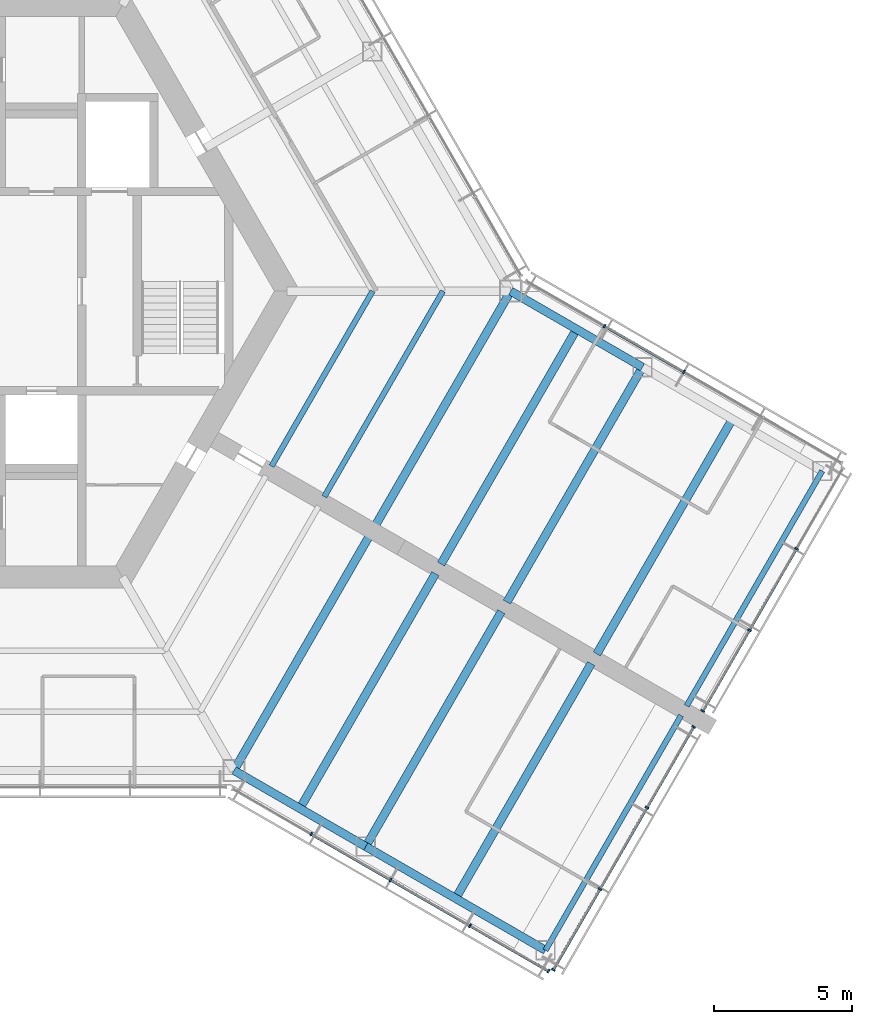
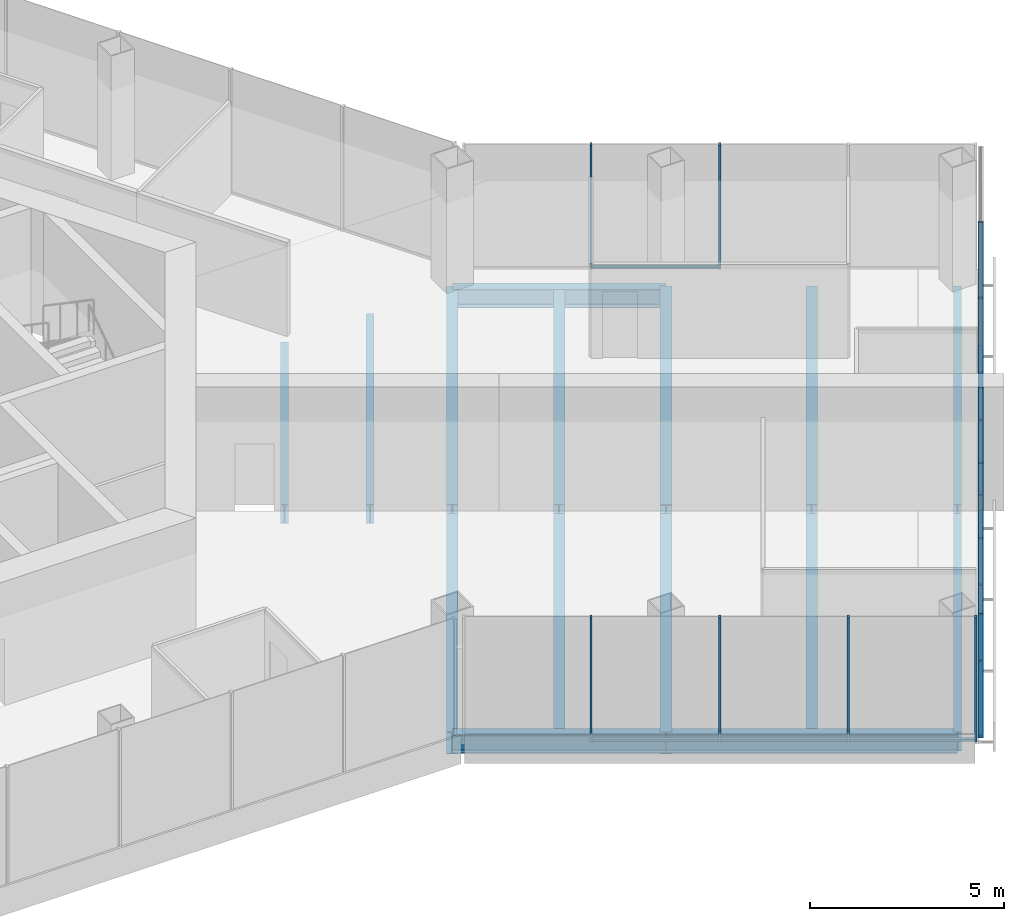
# One storey, part 4 of 16: 22 members, 15 beams, 4 elements without a shape of their own.
"""IFC4 building model written with IfcOpenShell, lengths in metres."""

from ifc_helpers import new_model, si_unit, direction, frame, origin, origin_2d, place, context, subcontext, project, spatial, rectangle, i_section, extrude, material, material_profile, profile_set, type_object, element, aggregate, save


model = new_model("IFC4")

# Units and contexts
model_context = context("Model", 3, precision=1e-05, world=origin(), true_north=direction((0.0, 1.0)))
body_context = subcontext(model_context, "Body", "Model", "MODEL_VIEW")
ifc_project = project(units=[si_unit("LENGTHUNIT", "METRE"), si_unit("AREAUNIT", "SQUARE_METRE"), si_unit("VOLUMEUNIT", "CUBIC_METRE"), si_unit("PLANEANGLEUNIT", "RADIAN"), si_unit("MASSUNIT", "GRAM", prefix="KILO")], contexts=[model_context])

# Site, building, storey
site_placement = place(None, origin())
site = spatial("IfcSite", under=ifc_project, at=site_placement, CompositionType="ELEMENT")
building_placement = place(site_placement, origin())
building = spatial("IfcBuilding", under=site, at=building_placement, Name="Kasaneha Research Tower", CompositionType="ELEMENT")
storey_placement = place(building_placement, frame((0.0, 0.0, 259.60009765625)))
storey = spatial("IfcBuildingStorey", under=building, at=storey_placement, Name="L65", CompositionType="ELEMENT", Elevation=259.60009765625)

# Beams
ifc_material_1 = material(Name="Steel SN490B", Category="steel")
ifc_material_profile_1 = material_profile(ifc_material_1, i_section(OverallWidth=0.199951171875, OverallDepth=0.60009765625, WebThickness=0.010986328125, FlangeThickness=0.01708984375, FilletRadius=0.012939453125, at=origin_2d()), Name="H-600x200x11x17")
ifc_profile_set_1 = profile_set([ifc_material_profile_1], Name="Steel SN490B")
beam_type_1 = type_object("IfcBeamType", Name="B1-3 secondary beam H-600x200x11x17", PredefinedType="JOIST", material=ifc_profile_set_1)
beam_1_placement = place(storey_placement, frame((15.010986328125, 0.0, -0.4501953125), z_axis=(-0.499974128195, -0.866040340363, 0.0), x_axis=(0.866040340363, -0.499974128195, 0.0)))
element("IfcBeam", 1, at=beam_1_placement, inside=storey, type_object=beam_type_1, Name="Secondary beam RS330R1 L65", PredefinedType="JOIST", context=body_context, shape_type="SweptSolid", body=[
    extrude(i_section(OverallWidth=0.199951171875, OverallDepth=0.60009765625, WebThickness=0.010986328125, FlangeThickness=0.01708984375, FilletRadius=0.012939453125, at=origin_2d()), origin(), (0.0, 0.0, 1.0), 7.3056640625),
])
beam_2_placement = place(storey_placement, frame((17.551513671875, 0.0, -0.4501953125), z_axis=(-0.500000102728, -0.866025344474, 0.0), x_axis=(0.866025344474, -0.500000102728, 0.0)))
element("IfcBeam", 2, at=beam_2_placement, inside=storey, type_object=beam_type_1, Name="Secondary beam RS330R2 L65", PredefinedType="JOIST", context=body_context, shape_type="SweptSolid", body=[
    extrude(i_section(OverallWidth=0.199951171875, OverallDepth=0.60009765625, WebThickness=0.010986328125, FlangeThickness=0.01708984375, FilletRadius=0.012939453125, at=origin_2d()), origin(), (0.0, 0.0, 1.0), 8.57568359375),
])
ifc_material_2 = material(Name="Steel SN490B", Category="steel")
ifc_material_profile_2 = material_profile(ifc_material_2, i_section(OverallWidth=0.300048828125, OverallDepth=0.58203125, WebThickness=0.011962890625, FlangeThickness=0.01708984375, FilletRadius=0.012939453125, at=origin_2d()), Name="H-582x300x12x17")
ifc_profile_set_2 = profile_set([ifc_material_profile_2], Name="Steel SN490B")
beam_type_2 = type_object("IfcBeamType", Name="B2-3 secondary beam H-582x300x12x17", PredefinedType="JOIST", material=ifc_profile_set_2)
for number, where, z_axis, x_axis, name in (
    (3, (12.381591796875, -18.695556640625, -0.441162109375), (0.49999201416, 0.866030014362, 0.0), (-0.866030014362, 0.49999201416, 0.0), "Secondary beam WBCP1 L65"),
    (4, (18.0107421875, -21.945556640625, -0.441162109375), (0.49999201416, 0.866030014362, 0.0), (-0.866030014362, 0.49999201416, 0.0), "Secondary beam WBCP2 L65"),
    (5, (22.381591796875, -1.375, -0.441162109375), (-0.49999201416, -0.866030014362, 0.0), (0.866030014362, -0.49999201416, 0.0), "Secondary beam WBCN1 L65"),
    (6, (28.0107421875, -4.625, -0.441162109375), (-0.49999201416, -0.866030014362, 0.0), (0.866030014362, -0.49999201416, 0.0), "Secondary beam WBCN2 L65"),
):
    element("IfcBeam", number, at=place(storey_placement, frame(where, z_axis=z_axis, x_axis=x_axis)), inside=storey, type_object=beam_type_2, Name=name, PredefinedType="JOIST", context=body_context, shape_type="SweptSolid", body=[
        extrude(i_section(OverallWidth=0.300048828125, OverallDepth=0.58203125, WebThickness=0.011962890625, FlangeThickness=0.01708984375, FilletRadius=0.012939453125, at=origin_2d()), origin(), (0.0, 0.0, 1.0), 9.800048828125),
    ])

# Curtain wall, members
ifc_material_3 = material(Name="Glass and aluminium", Category="aluminium")
curtain_wall_type = type_object("IfcCurtainWallType", Name="High-rise office curtain wall", PredefinedType="USERDEFINED", material=ifc_material_3)
curtain_wall_1_placement = place(storey_placement, origin())
curtain_wall_1 = element("IfcCurtainWall", 7, at=curtain_wall_1_placement, inside=storey, type_object=curtain_wall_type, Name="CW-O3 L65 run 06a", ObjectType="UNITISED CURTAIN WALL", PredefinedType="USERDEFINED")
ifc_material_4 = material(Name="Aluminium 6063-T6", Category="aluminium")
ifc_material_profile_3 = material_profile(ifc_material_4, rectangle(XDim=0.06005859375, YDim=0.139892578125, at=origin_2d()), Name="CW-O3 mullion 60x140")
ifc_profile_set_3 = profile_set([ifc_material_profile_3], Name="Aluminium 6063-T6")
member_type_1 = type_object("IfcMemberType", Name="CW-O3 mullion", PredefinedType="MULLION", material=ifc_profile_set_3)
member_1_placement = place(storey_placement, frame((12.792236328125, -19.62548828125, 0.0), z_axis=(0.0, 0.0, 1.0), x_axis=(0.866025411464, -0.499999986699, 0.0)))
member_1 = element("IfcMember", 8, at=member_1_placement, type_object=member_type_1, Name="CW-O3 mullion 2", PredefinedType="MULLION", context=body_context, shape_type="SweptSolid", body=[
    extrude(rectangle(XDim=0.06005859375, YDim=0.139892578125, at=origin_2d()), origin(), (0.0, 0.0, 1.0), 3.89990234375),
])
member_2_placement = place(storey_placement, frame((15.65869140625, -21.2802734375, 0.0), z_axis=(0.0, 0.0, 1.0), x_axis=(0.866025411464, -0.499999986699, 0.0)))
member_2 = element("IfcMember", 9, at=member_2_placement, type_object=member_type_1, Name="CW-O3 mullion 3", PredefinedType="MULLION", context=body_context, shape_type="SweptSolid", body=[
    extrude(rectangle(XDim=0.06005859375, YDim=0.139892578125, at=origin_2d()), origin(), (0.0, 0.0, 1.0), 3.89990234375),
])
member_3_placement = place(storey_placement, frame((18.52490234375, -22.935302734375, 0.0), z_axis=(0.0, 0.0, 1.0), x_axis=(0.866025411464, -0.499999986699, 0.0)))
member_3 = element("IfcMember", 10, at=member_3_placement, type_object=member_type_1, Name="CW-O3 mullion 4", PredefinedType="MULLION", context=body_context, shape_type="SweptSolid", body=[
    extrude(rectangle(XDim=0.06005859375, YDim=0.139892578125, at=origin_2d()), origin(), (0.0, 0.0, 1.0), 3.89990234375),
])
member_4_placement = place(storey_placement, frame((21.365478515625, -24.5751953125, 0.0), z_axis=(0.0, 0.0, 1.0), x_axis=(0.866025411464, -0.499999986699, 0.0)))
member_4 = element("IfcMember", 11, at=member_4_placement, type_object=member_type_1, Name="CW-O3 mullion 5", PredefinedType="MULLION", context=body_context, shape_type="SweptSolid", body=[
    extrude(rectangle(XDim=0.06005859375, YDim=0.139892578125, at=origin_2d()), origin(), (0.0, 0.0, 1.0), 3.89990234375),
])

curtain_wall_2_placement = place(storey_placement, origin())
curtain_wall_2 = element("IfcCurtainWall", 12, at=curtain_wall_2_placement, inside=storey, type_object=curtain_wall_type, Name="CW-O3 L65 run 07a", ObjectType="UNITISED CURTAIN WALL", PredefinedType="USERDEFINED")
member_5_placement = place(storey_placement, frame((21.54296875, -24.527587890625, 0.0), z_axis=(0.0, 0.0, 1.0), x_axis=(0.500000011442, 0.866025397178, 0.0)))
member_5 = element("IfcMember", 13, at=member_5_placement, type_object=member_type_1, Name="CW-O3 mullion 1", PredefinedType="MULLION", context=body_context, shape_type="SweptSolid", body=[
    extrude(rectangle(XDim=0.06005859375, YDim=0.139892578125, at=origin_2d()), origin(), (0.0, 0.0, 1.0), 3.89990234375),
])
member_6_placement = place(storey_placement, frame((23.22802734375, -21.609130859375, 0.0), z_axis=(0.0, 0.0, 1.0), x_axis=(0.500000011442, 0.866025397178, 0.0)))
member_6 = element("IfcMember", 14, at=member_6_placement, type_object=member_type_1, Name="CW-O3 mullion 2", PredefinedType="MULLION", context=body_context, shape_type="SweptSolid", body=[
    extrude(rectangle(XDim=0.06005859375, YDim=0.139892578125, at=origin_2d()), origin(), (0.0, 0.0, 1.0), 3.89990234375),
])
member_7_placement = place(storey_placement, frame((24.927978515625, -18.66455078125, 0.0), z_axis=(0.0, 0.0, 1.0), x_axis=(0.500000011442, 0.866025397178, 0.0)))
member_7 = element("IfcMember", 15, at=member_7_placement, type_object=member_type_1, Name="CW-O3 mullion 3", PredefinedType="MULLION", context=body_context, shape_type="SweptSolid", body=[
    extrude(rectangle(XDim=0.06005859375, YDim=0.139892578125, at=origin_2d()), origin(), (0.0, 0.0, 1.0), 3.89990234375),
])
member_8_placement = place(storey_placement, frame((26.613037109375, -15.74609375, 0.0), z_axis=(0.0, 0.0, 1.0), x_axis=(0.500000011442, 0.866025397178, 0.0)))
member_8 = element("IfcMember", 16, at=member_8_placement, type_object=member_type_1, Name="CW-O3 mullion 4", PredefinedType="MULLION", context=body_context, shape_type="SweptSolid", body=[
    extrude(rectangle(XDim=0.06005859375, YDim=0.139892578125, at=origin_2d()), origin(), (0.0, 0.0, 1.0), 3.89990234375),
])

curtain_wall_3_placement = place(storey_placement, origin())
curtain_wall_3 = element("IfcCurtainWall", 17, at=curtain_wall_3_placement, inside=storey, type_object=curtain_wall_type, Name="CW-O3 L65 run 08a", ObjectType="UNITISED CURTAIN WALL", PredefinedType="USERDEFINED")
member_9_placement = place(storey_placement, frame((26.94287109375, -15.174560546875, 0.0), z_axis=(0.0, 0.0, 1.0), x_axis=(0.500000011442, 0.866025397178, 0.0)))
member_9 = element("IfcMember", 18, at=member_9_placement, type_object=member_type_1, Name="CW-O3 mullion 1", PredefinedType="MULLION", context=body_context, shape_type="SweptSolid", body=[
    extrude(rectangle(XDim=0.06005859375, YDim=0.139892578125, at=origin_2d()), origin(), (0.0, 0.0, 1.0), 3.89990234375),
])
member_10_placement = place(storey_placement, frame((28.6279296875, -12.255859375, 0.0), z_axis=(0.0, 0.0, 1.0), x_axis=(0.500000011442, 0.866025397178, 0.0)))
member_10 = element("IfcMember", 19, at=member_10_placement, type_object=member_type_1, Name="CW-O3 mullion 2", PredefinedType="MULLION", context=body_context, shape_type="SweptSolid", body=[
    extrude(rectangle(XDim=0.06005859375, YDim=0.139892578125, at=origin_2d()), origin(), (0.0, 0.0, 1.0), 3.89990234375),
])
member_11_placement = place(storey_placement, frame((30.327880859375, -9.3115234375, 0.0), z_axis=(0.0, 0.0, 1.0), x_axis=(0.500000011442, 0.866025397178, 0.0)))
member_11 = element("IfcMember", 20, at=member_11_placement, type_object=member_type_1, Name="CW-O3 mullion 3", PredefinedType="MULLION", context=body_context, shape_type="SweptSolid", body=[
    extrude(rectangle(XDim=0.06005859375, YDim=0.139892578125, at=origin_2d()), origin(), (0.0, 0.0, 1.0), 3.89990234375),
])

curtain_wall_4_placement = place(storey_placement, origin())
curtain_wall_4 = element("IfcCurtainWall", 21, at=curtain_wall_4_placement, inside=storey, type_object=curtain_wall_type, Name="CW-O3 L65 run 09a", ObjectType="UNITISED CURTAIN WALL", PredefinedType="USERDEFINED")
member_12_placement = place(storey_placement, frame((26.258544921875, -2.920654296875, 0.0), z_axis=(0.0, 0.0, 1.0), x_axis=(-0.866025411464, 0.499999986699, 0.0)))
member_12 = element("IfcMember", 22, at=member_12_placement, type_object=member_type_1, Name="CW-O3 mullion 3", PredefinedType="MULLION", context=body_context, shape_type="SweptSolid", body=[
    extrude(rectangle(XDim=0.06005859375, YDim=0.139892578125, at=origin_2d()), origin(), (0.0, 0.0, 1.0), 3.89990234375),
])
member_13_placement = place(storey_placement, frame((23.39208984375, -1.265625, 0.0), z_axis=(0.0, 0.0, 1.0), x_axis=(-0.866025411464, 0.499999986699, 0.0)))
member_13 = element("IfcMember", 23, at=member_13_placement, type_object=member_type_1, Name="CW-O3 mullion 4", PredefinedType="MULLION", context=body_context, shape_type="SweptSolid", body=[
    extrude(rectangle(XDim=0.06005859375, YDim=0.139892578125, at=origin_2d()), origin(), (0.0, 0.0, 1.0), 3.89990234375),
])

# Member
ifc_material_5 = material(Name="Aluminium 6063-T6", Category="aluminium")
ifc_material_profile_4 = material_profile(ifc_material_5, rectangle(XDim=0.10009765625, YDim=0.06005859375, at=origin_2d()), Name="CW-O3 transom 100x60")
ifc_profile_set_4 = profile_set([ifc_material_profile_4], Name="Aluminium 6063-T6")
member_type_2 = type_object("IfcMemberType", Name="CW-O3 transom", PredefinedType="USERDEFINED", material=ifc_profile_set_4)
member_14_placement = place(storey_placement, frame((12.818115234375, -19.640380859375, 0.02978515625), z_axis=(0.866015446554, -0.500017246033, 0.0), x_axis=(0.500017246033, 0.866015446554, 0.0)))
member_14 = element("IfcMember", 24, at=member_14_placement, type_object=member_type_2, Name="CW-O3 transom 2", ObjectType="TRANSOM", PredefinedType="USERDEFINED", context=body_context, shape_type="SweptSolid", body=[
    extrude(rectangle(XDim=0.10009765625, YDim=0.06005859375, at=origin_2d()), origin(), (0.0, 0.0, 1.0), 3.25),
])

member_15_placement = place(storey_placement, frame((15.6845703125, -21.29541015625, 0.02978515625), z_axis=(0.86604797581, -0.499960902066, 0.0), x_axis=(0.499960902066, 0.86604797581, 0.0)))
member_15 = element("IfcMember", 25, at=member_15_placement, type_object=member_type_2, Name="CW-O3 transom 3", ObjectType="TRANSOM", PredefinedType="USERDEFINED", context=body_context, shape_type="SweptSolid", body=[
    extrude(rectangle(XDim=0.10009765625, YDim=0.06005859375, at=origin_2d()), origin(), (0.0, 0.0, 1.0), 3.249755859375),
])

member_16_placement = place(storey_placement, frame((18.551025390625, -22.9501953125, 0.02978515625), z_axis=(0.866022692473, -0.500004696101, 0.0), x_axis=(0.500004696101, 0.866022692473, 0.0)))
member_16 = element("IfcMember", 26, at=member_16_placement, type_object=member_type_2, Name="CW-O3 transom 4", ObjectType="TRANSOM", PredefinedType="USERDEFINED", context=body_context, shape_type="SweptSolid", body=[
    extrude(rectangle(XDim=0.10009765625, YDim=0.06005859375, at=origin_2d()), origin(), (0.0, 0.0, 1.0), 3.2197265625),
])

aggregate(curtain_wall_1, [member_1, member_2, member_3, member_4, member_14, member_15, member_16])

member_17_placement = place(storey_placement, frame((21.557861328125, -24.50146484375, 0.02978515625), z_axis=(0.500018282537, 0.866014848099, 0.0), x_axis=(-0.866014848099, 0.500018282537, 0.0)))
member_17 = element("IfcMember", 27, at=member_17_placement, type_object=member_type_2, Name="CW-O3 transom 1", ObjectType="TRANSOM", PredefinedType="USERDEFINED", context=body_context, shape_type="SweptSolid", body=[
    extrude(rectangle(XDim=0.10009765625, YDim=0.06005859375, at=origin_2d()), origin(), (0.0, 0.0, 1.0), 3.31005859375),
])

member_18_placement = place(storey_placement, frame((23.242919921875, -21.5830078125, 0.02978515625), z_axis=(0.499975549825, 0.866039519639, 0.0), x_axis=(-0.866039519639, 0.499975549825, 0.0)))
member_18 = element("IfcMember", 28, at=member_18_placement, type_object=member_type_2, Name="CW-O3 transom 2", ObjectType="TRANSOM", PredefinedType="USERDEFINED", context=body_context, shape_type="SweptSolid", body=[
    extrude(rectangle(XDim=0.10009765625, YDim=0.06005859375, at=origin_2d()), origin(), (0.0, 0.0, 1.0), 3.340087890625),
])

member_19_placement = place(storey_placement, frame((24.94287109375, -18.638671875, 0.02978515625), z_axis=(0.49998634449, 0.866033287653, 0.0), x_axis=(-0.866033287653, 0.49998634449, 0.0)))
member_19 = element("IfcMember", 29, at=member_19_placement, type_object=member_type_2, Name="CW-O3 transom 3", ObjectType="TRANSOM", PredefinedType="USERDEFINED", context=body_context, shape_type="SweptSolid", body=[
    extrude(rectangle(XDim=0.10009765625, YDim=0.06005859375, at=origin_2d()), origin(), (0.0, 0.0, 1.0), 3.31005859375),
])

aggregate(curtain_wall_2, [member_5, member_6, member_7, member_8, member_17, member_18, member_19])

member_20_placement = place(storey_placement, frame((26.9580078125, -15.1484375, 0.02978515625), z_axis=(0.500018282537, 0.866014848099, 0.0), x_axis=(-0.866014848099, 0.500018282537, 0.0)))
member_20 = element("IfcMember", 30, at=member_20_placement, type_object=member_type_2, Name="CW-O3 transom 1", ObjectType="TRANSOM", PredefinedType="USERDEFINED", context=body_context, shape_type="SweptSolid", body=[
    extrude(rectangle(XDim=0.10009765625, YDim=0.06005859375, at=origin_2d()), origin(), (0.0, 0.0, 1.0), 3.31005859375),
])

member_21_placement = place(storey_placement, frame((28.64306640625, -12.22998046875, 0.02978515625), z_axis=(0.499975549825, 0.866039519639, 0.0), x_axis=(-0.866039519639, 0.499975549825, 0.0)))
member_21 = element("IfcMember", 31, at=member_21_placement, type_object=member_type_2, Name="CW-O3 transom 2", ObjectType="TRANSOM", PredefinedType="USERDEFINED", context=body_context, shape_type="SweptSolid", body=[
    extrude(rectangle(XDim=0.10009765625, YDim=0.06005859375, at=origin_2d()), origin(), (0.0, 0.0, 1.0), 3.340087890625),
])

aggregate(curtain_wall_3, [member_9, member_10, member_11, member_20, member_21])

member_22_placement = place(storey_placement, frame((26.232666015625, -2.905517578125, 0.02978515625), z_axis=(-0.86604797581, 0.499960902066, 0.0), x_axis=(-0.499960902066, -0.86604797581, 0.0)))
member_22 = element("IfcMember", 32, at=member_22_placement, type_object=member_type_2, Name="CW-O3 transom 3", ObjectType="TRANSOM", PredefinedType="USERDEFINED", context=body_context, shape_type="SweptSolid", body=[
    extrude(rectangle(XDim=0.10009765625, YDim=0.06005859375, at=origin_2d()), origin(), (0.0, 0.0, 1.0), 3.249755859375),
])

aggregate(curtain_wall_4, [member_12, member_13, member_22])

# Beams
ifc_material_6 = material(Name="Steel SN490B", Category="steel")
ifc_material_profile_5 = material_profile(ifc_material_6, i_section(OverallWidth=0.300048828125, OverallDepth=0.69189453125, WebThickness=0.012939453125, FlangeThickness=0.02001953125, FilletRadius=0.01806640625, at=origin_2d()), Name="H-692x300x13x20")
ifc_profile_set_5 = profile_set([ifc_material_profile_5], Name="Steel SN490B")
beam_type_3 = type_object("IfcBeamType", Name="G3-3 plate edge girder H-692x300x13x20", PredefinedType="BEAM", material=ifc_profile_set_5)
for number, where, z_axis, x_axis, name in (
    (33, (10.0, -17.320556640625, -0.49609375), (0.49999201416, 0.866030014362, 0.0), (-0.866030014362, 0.49999201416, 0.0), "Plate edge girder PECP L65"),
    (34, (20.0, 0.0, -0.49609375), (-0.49999201416, -0.866030014362, 0.0), (0.866030014362, -0.49999201416, 0.0), "Plate edge girder PECN L65"),
):
    element("IfcBeam", number, at=place(storey_placement, frame(where, z_axis=z_axis, x_axis=x_axis)), inside=storey, type_object=beam_type_3, Name=name, PredefinedType="BEAM", context=body_context, shape_type="SweptSolid", body=[
        extrude(i_section(OverallWidth=0.300048828125, OverallDepth=0.69189453125, WebThickness=0.012939453125, FlangeThickness=0.02001953125, FilletRadius=0.01806640625, at=origin_2d()), origin(), (0.0, 0.0, 1.0), 9.800048828125),
    ])
ifc_material_7 = material(Name="Steel SN490B", Category="steel")
ifc_material_profile_6 = material_profile(ifc_material_7, i_section(OverallWidth=0.300048828125, OverallDepth=0.699951171875, WebThickness=0.012939453125, FlangeThickness=0.02392578125, FilletRadius=0.01806640625, at=origin_2d()), Name="H-700x300x13x24")
ifc_profile_set_6 = profile_set([ifc_material_profile_6], Name="Steel SN490B")
beam_type_4 = type_object("IfcBeamType", Name="G4-3 wing girder H-700x300x13x24", PredefinedType="BEAM", material=ifc_profile_set_6)
for number, where, z_axis, x_axis, name in (
    (35, (14.76318359375, -20.070556640625, -0.5), (0.49999201416, 0.866030014362, 0.0), (-0.866030014362, 0.49999201416, 0.0), "Wing girder WGCP L65"),
    (36, (24.76318359375, -2.75, -0.5), (-0.500010698315, -0.866019227021, 0.0), (0.866019227021, -0.500010698315, 0.0), "Wing girder WGCN L65"),
):
    element("IfcBeam", number, at=place(storey_placement, frame(where, z_axis=z_axis, x_axis=x_axis)), inside=storey, type_object=beam_type_4, Name=name, PredefinedType="BEAM", context=body_context, shape_type="SweptSolid", body=[
        extrude(i_section(OverallWidth=0.300048828125, OverallDepth=0.699951171875, WebThickness=0.012939453125, FlangeThickness=0.02392578125, FilletRadius=0.01806640625, at=origin_2d()), origin(), (0.0, 0.0, 1.0), 9.800048828125),
    ])
ifc_material_8 = material(Name="Steel SN490B", Category="steel")
ifc_material_profile_7 = material_profile(ifc_material_8, i_section(OverallWidth=0.300048828125, OverallDepth=0.58203125, WebThickness=0.011962890625, FlangeThickness=0.01708984375, FilletRadius=0.012939453125, at=origin_2d()), Name="H-582x300x12x17")
ifc_profile_set_7 = profile_set([ifc_material_profile_7], Name="Steel SN490B")
beam_type_5 = type_object("IfcBeamType", Name="SB2-3 spandrel beam H-582x300x12x17", PredefinedType="SPANDREL", material=ifc_profile_set_7)
beam_3_placement = place(storey_placement, frame((10.0, -17.320556640625, -0.441162109375), z_axis=(0.866027397988, -0.499996545922, 0.0), x_axis=(0.499996545922, 0.866027397988, 0.0)))
element("IfcBeam", 37, at=beam_3_placement, inside=storey, type_object=beam_type_5, Name="Spandrel beam WSCP1 L65", PredefinedType="SPANDREL", context=body_context, shape_type="SweptSolid", body=[
    extrude(i_section(OverallWidth=0.300048828125, OverallDepth=0.58203125, WebThickness=0.011962890625, FlangeThickness=0.01708984375, FilletRadius=0.012939453125, at=origin_2d()), origin(), (0.0, 0.0, 1.0), 5.5),
])
beam_4_placement = place(storey_placement, frame((14.76318359375, -20.070556640625, -0.441162109375), z_axis=(0.866022959057, -0.500004234368, 0.0), x_axis=(0.500004234368, 0.866022959057, 0.0)))
element("IfcBeam", 38, at=beam_4_placement, inside=storey, type_object=beam_type_5, Name="Spandrel beam WSCP2 L65", PredefinedType="SPANDREL", context=body_context, shape_type="SweptSolid", body=[
    extrude(i_section(OverallWidth=0.300048828125, OverallDepth=0.58203125, WebThickness=0.011962890625, FlangeThickness=0.01708984375, FilletRadius=0.012939453125, at=origin_2d()), origin(), (0.0, 0.0, 1.0), 7.5),
])
beam_5_placement = place(storey_placement, frame((20.0, 0.0, -0.441162109375), z_axis=(0.866027397988, -0.499996545922, 0.0), x_axis=(0.499996545922, 0.866027397988, 0.0)))
element("IfcBeam", 39, at=beam_5_placement, inside=storey, type_object=beam_type_5, Name="Spandrel beam WSCN1 L65", PredefinedType="SPANDREL", context=body_context, shape_type="SweptSolid", body=[
    extrude(i_section(OverallWidth=0.300048828125, OverallDepth=0.58203125, WebThickness=0.011962890625, FlangeThickness=0.01708984375, FilletRadius=0.012939453125, at=origin_2d()), origin(), (0.0, 0.0, 1.0), 5.5),
])
ifc_material_9 = material(Name="Steel SN490B", Category="steel")
ifc_material_profile_8 = material_profile(ifc_material_9, i_section(OverallWidth=0.199951171875, OverallDepth=0.60009765625, WebThickness=0.010986328125, FlangeThickness=0.01708984375, FilletRadius=0.012939453125, at=origin_2d()), Name="H-600x200x11x17")
ifc_profile_set_8 = profile_set([ifc_material_profile_8], Name="Steel SN490B")
beam_type_6 = type_object("IfcBeamType", Name="SB3-3 spandrel beam H-600x200x11x17", PredefinedType="SPANDREL", material=ifc_profile_set_8)
for number, where, z_axis, x_axis, name in (
    (40, (21.25830078125, -23.820556640625, -0.4501953125), (0.500010698315, 0.866019227021, 0.0), (-0.866019227021, 0.500010698315, 0.0), "Spandrel beam WTCP L65"),
    (41, (31.25830078125, -6.5, -0.4501953125), (-0.49999201416, -0.866030014362, 0.0), (0.866030014362, -0.49999201416, 0.0), "Spandrel beam WTCN L65"),
):
    element("IfcBeam", number, at=place(storey_placement, frame(where, z_axis=z_axis, x_axis=x_axis)), inside=storey, type_object=beam_type_6, Name=name, PredefinedType="SPANDREL", context=body_context, shape_type="SweptSolid", body=[
        extrude(i_section(OverallWidth=0.199951171875, OverallDepth=0.60009765625, WebThickness=0.010986328125, FlangeThickness=0.01708984375, FilletRadius=0.012939453125, at=origin_2d()), origin(), (0.0, 0.0, 1.0), 9.800048828125),
    ])

save(model, "model.ifc")
